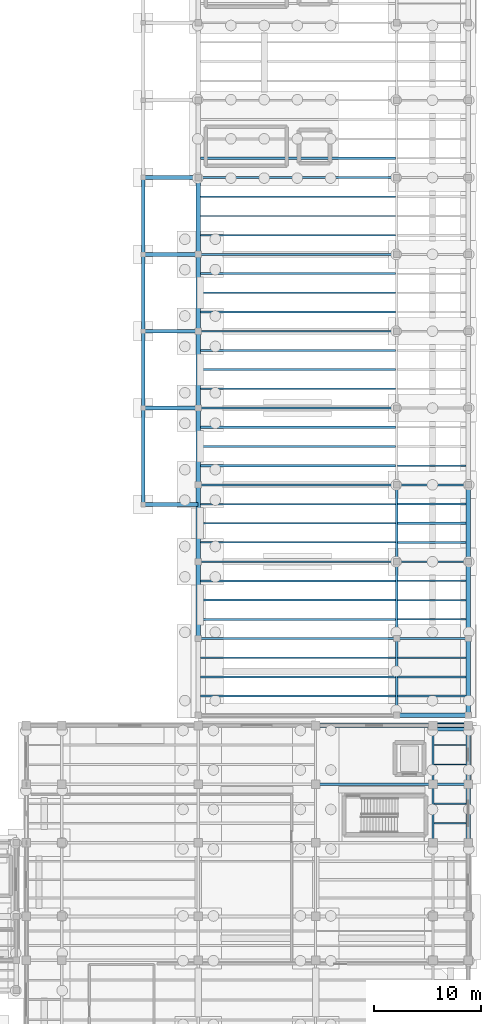
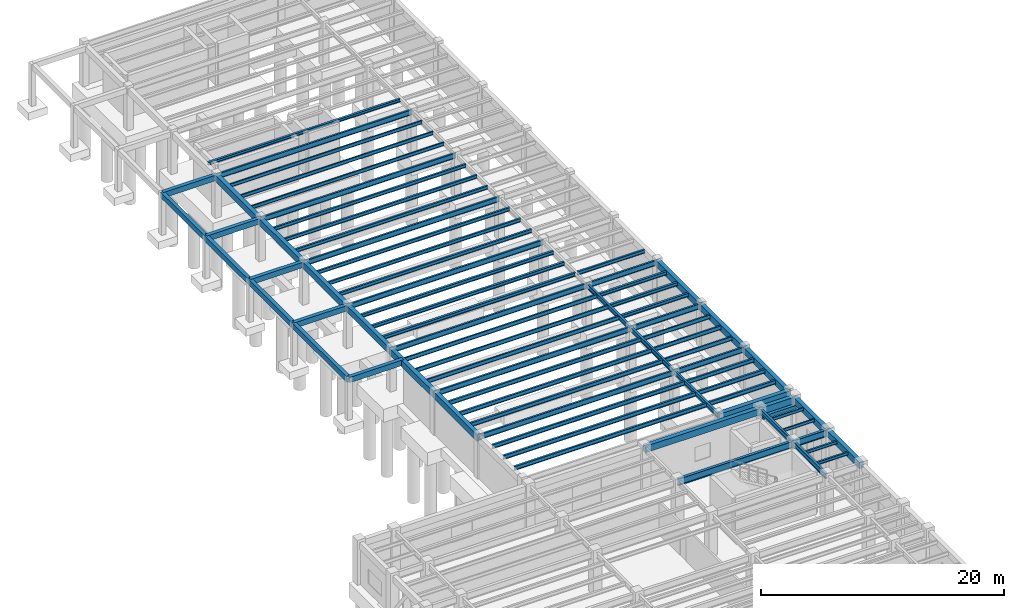
# One storey, part 16 of 41: 77 beams.
"""IFC4 building model written with IfcOpenShell, lengths in metres."""

from ifc_helpers import new_model, si_unit, direction, frame, origin, origin_2d, place, context, subcontext, project, spatial, rectangle, i_section, extrude, material, material_profile, profile_set, type_object, element, save


model = new_model("IFC4")

# Units and contexts
model_context = context("Model", 3, precision=1e-05, world=origin(), true_north=direction((0.0, 1.0)))
body_context = subcontext(model_context, "Body", "Model", "MODEL_VIEW")
ifc_project = project(units=[si_unit("LENGTHUNIT", "METRE"), si_unit("AREAUNIT", "SQUARE_METRE"), si_unit("VOLUMEUNIT", "CUBIC_METRE"), si_unit("PLANEANGLEUNIT", "RADIAN"), si_unit("MASSUNIT", "GRAM", prefix="KILO")], contexts=[model_context])

# Site, building, storey
site_placement = place(None, origin())
site = spatial("IfcSite", under=ifc_project, at=site_placement, CompositionType="ELEMENT")
building_placement = place(site_placement, origin())
building = spatial("IfcBuilding", under=site, at=building_placement, Name="Candilejo Ridge Gondola Terminal", CompositionType="ELEMENT")
storey_placement = place(building_placement, origin())
storey = spatial("IfcBuildingStorey", under=building, at=storey_placement, Name="L00", CompositionType="ELEMENT", Elevation=0.0)

# Beams
ifc_material_1 = material(Name="Concrete f'c 35 MPa (C35/45)", Category="concrete")
ifc_material_profile_1 = material_profile(ifc_material_1, rectangle(XDim=0.35009765625, YDim=0.550048828125, at=origin_2d()))
ifc_profile_set_1 = profile_set([ifc_material_profile_1], Name="Concrete f'c 35 MPa (C35/45)")
beam_type_1 = type_object("IfcBeamType", Name="STR-BM-RC350X550", PredefinedType="BEAM", material=ifc_profile_set_1)
for number, where, z_axis, x_axis, name in (
    (1, (144.85009765625, 68.39990234375, 3.965087890625), (1.0, 0.0, 0.0), (0.0, 1.0, 0.0), "Bench ledge transverse beam 01"),
    (2, (144.85009765625, 77.449951171875, 3.965087890625), (1.0, 0.0, 0.0), (0.0, 1.0, 0.0), "Bench ledge transverse beam 02"),
    (3, (144.85009765625, 84.64990234375, 3.965087890625), (1.0, 0.0, 0.0), (0.0, 1.0, 0.0), "Bench ledge transverse beam 03"),
    (4, (144.85009765625, 91.85009765625, 3.965087890625), (1.0, 0.0, 0.0), (0.0, 1.0, 0.0), "Bench ledge transverse beam 04"),
    (5, (144.85009765625, 99.050048828125, 3.965087890625), (1.0, 0.0, 0.0), (0.0, 1.0, 0.0), "Bench ledge transverse beam 05"),
):
    element("IfcBeam", number, at=place(storey_placement, frame(where, z_axis=z_axis, x_axis=x_axis)), inside=storey, type_object=beam_type_1, Name=name, PredefinedType="BEAM", context=body_context, shape_type="SweptSolid", body=[
        extrude(rectangle(XDim=0.35009765625, YDim=0.550048828125, at=origin_2d()), origin(), (0.0, 0.0, 1.0), 5.14990234375),
    ])
beam_1_placement = place(storey_placement, frame((144.85009765625, 68.39990234375, 3.965087890625), z_axis=(0.0, 1.0, 0.0), x_axis=(-1.0, 0.0, 0.0)))
element("IfcBeam", 6, at=beam_1_placement, inside=storey, type_object=beam_type_1, Name="Bench ledge perimeter beam 01", PredefinedType="BEAM", context=body_context, shape_type="SweptSolid", body=[
    extrude(rectangle(XDim=0.35009765625, YDim=0.550048828125, at=origin_2d()), origin(), (0.0, 0.0, 1.0), 9.050048828125),
])
beam_2_placement = place(storey_placement, frame((144.85009765625, 77.449951171875, 3.965087890625), z_axis=(0.0, 1.0, 0.0), x_axis=(-1.0, 0.0, 0.0)))
element("IfcBeam", 7, at=beam_2_placement, inside=storey, type_object=beam_type_1, Name="Bench ledge perimeter beam 02", PredefinedType="BEAM", context=body_context, shape_type="SweptSolid", body=[
    extrude(rectangle(XDim=0.35009765625, YDim=0.550048828125, at=origin_2d()), origin(), (0.0, 0.0, 1.0), 7.199951171875),
])
beam_3_placement = place(storey_placement, frame((144.85009765625, 84.64990234375, 3.965087890625), z_axis=(0.0, 1.0, 0.0), x_axis=(-1.0, 0.0, 0.0)))
element("IfcBeam", 8, at=beam_3_placement, inside=storey, type_object=beam_type_1, Name="Bench ledge perimeter beam 03", PredefinedType="BEAM", context=body_context, shape_type="SweptSolid", body=[
    extrude(rectangle(XDim=0.35009765625, YDim=0.550048828125, at=origin_2d()), origin(), (0.0, 0.0, 1.0), 7.2001953125),
])
beam_4_placement = place(storey_placement, frame((144.85009765625, 91.85009765625, 3.965087890625), z_axis=(0.0, 1.0, 0.0), x_axis=(-1.0, 0.0, 0.0)))
element("IfcBeam", 9, at=beam_4_placement, inside=storey, type_object=beam_type_1, Name="Bench ledge perimeter beam 04", PredefinedType="BEAM", context=body_context, shape_type="SweptSolid", body=[
    extrude(rectangle(XDim=0.35009765625, YDim=0.550048828125, at=origin_2d()), origin(), (0.0, 0.0, 1.0), 7.199951171875),
])
ifc_material_2 = material(Name="Steel ASTM A992 Grade 50", Category="steel")
ifc_material_profile_2 = material_profile(ifc_material_2, i_section(OverallWidth=0.194091796875, OverallDepth=0.468994140625, WebThickness=0.0126953125, FlangeThickness=0.0205078125, at=origin_2d()))
ifc_profile_set_2 = profile_set([ifc_material_profile_2], Name="Steel ASTM A992 Grade 50")
beam_type_2 = type_object("IfcBeamType", Name="STR-BM-W460X106", PredefinedType="BEAM", material=ifc_profile_set_2)
beam_5_placement = place(storey_placement, frame((168.60009765625, 48.64990234375, 3.99560546875), z_axis=(0.0, 1.0, 0.0), x_axis=(-1.0, 0.0, 0.0)))
element("IfcBeam", 10, at=beam_5_placement, inside=storey, type_object=beam_type_2, Name="Beam Y V5 L00 Y10-Y11@X25", PredefinedType="BEAM", context=body_context, shape_type="SweptSolid", body=[
    extrude(i_section(OverallWidth=0.194091796875, OverallDepth=0.468994140625, WebThickness=0.0126953125, FlangeThickness=0.0205078125, at=origin_2d()), origin(), (0.0, 0.0, 1.0), 7.2001953125),
])
for number, where, z_axis, x_axis, name in (
    (11, (168.60009765625, 55.85009765625, 3.99560546875), (0.0, 1.0, 0.0), (-1.0, 0.0, 0.0), "Beam Y V5 L00 Y11-Y12@X25"),
    (12, (168.60009765625, 63.050048828125, 3.99560546875), (0.0, 1.0, 0.0), (-1.0, 0.0, 0.0), "Beam Y V5 L00 Y12-Y13@X25"),
):
    element("IfcBeam", number, at=place(storey_placement, frame(where, z_axis=z_axis, x_axis=x_axis)), inside=storey, type_object=beam_type_2, Name=name, PredefinedType="BEAM", context=body_context, shape_type="SweptSolid", body=[
        extrude(i_section(OverallWidth=0.194091796875, OverallDepth=0.468994140625, WebThickness=0.0126953125, FlangeThickness=0.0205078125, at=origin_2d()), origin(), (0.0, 0.0, 1.0), 7.199951171875),
    ])
ifc_material_3 = material(Name="Steel ASTM A992 Grade 50", Category="steel")
ifc_material_profile_3 = material_profile(ifc_material_3, i_section(OverallWidth=0.2109375, OverallDepth=0.5390625, WebThickness=0.01171875, FlangeThickness=0.018798828125, at=origin_2d()))
ifc_profile_set_3 = profile_set([ifc_material_profile_3], Name="Steel ASTM A992 Grade 50")
beam_type_3 = type_object("IfcBeamType", Name="STR-BM-W530X109", PredefinedType="BEAM", material=ifc_profile_set_3)
for number, where, z_axis, x_axis, name in (
    (13, (172.0, 36.699951171875, 3.945556640625), (0.0, 1.0, 0.0), (-1.0, 0.0, 0.0), "Beam Y V4 L00 Y07-Y08@X26"),
    (14, (172.0, 42.199951171875, 3.945556640625), (0.0, 1.0, 0.0), (-1.0, 0.0, 0.0), "Beam Y V4 L00 Y08-Y09@X26"),
):
    element("IfcBeam", number, at=place(storey_placement, frame(where, z_axis=z_axis, x_axis=x_axis)), inside=storey, type_object=beam_type_3, Name=name, PredefinedType="BEAM", context=body_context, shape_type="SweptSolid", body=[
        extrude(i_section(OverallWidth=0.2109375, OverallDepth=0.5390625, WebThickness=0.01171875, FlangeThickness=0.018798828125, at=origin_2d()), origin(), (0.0, 0.0, 1.0), 5.5),
    ])
ifc_material_4 = material(Name="Steel ASTM A992 Grade 50", Category="steel")
ifc_material_profile_4 = material_profile(ifc_material_4, i_section(OverallWidth=0.166015625, OverallDepth=0.529052734375, WebThickness=0.009765625, FlangeThickness=0.013671875, at=origin_2d()))
ifc_profile_set_4 = profile_set([ifc_material_profile_4], Name="Steel ASTM A992 Grade 50")
beam_type_4 = type_object("IfcBeamType", Name="STR-BM-W530X74", PredefinedType="BEAM", material=ifc_profile_set_4)
beam_6_placement = place(storey_placement, frame((150.0, 55.85009765625, 3.965576171875), z_axis=(1.0, 0.0, 0.0), x_axis=(0.0, 1.0, 0.0)))
element("IfcBeam", 15, at=beam_6_placement, inside=storey, type_object=beam_type_4, Name="Beam X V5 L00 X23-X25@Y11", PredefinedType="BEAM", context=body_context, shape_type="SweptSolid", body=[
    extrude(i_section(OverallWidth=0.166015625, OverallDepth=0.529052734375, WebThickness=0.009765625, FlangeThickness=0.013671875, at=origin_2d()), origin(), (0.0, 0.0, 1.0), 18.60009765625),
])
beam_7_placement = place(storey_placement, frame((168.60009765625, 55.85009765625, 3.965576171875), z_axis=(1.0, 0.0, 0.0), x_axis=(0.0, 1.0, 0.0)))
element("IfcBeam", 16, at=beam_7_placement, inside=storey, type_object=beam_type_4, Name="Beam X V5 L00 X25-X27@Y11", PredefinedType="BEAM", context=body_context, shape_type="SweptSolid", body=[
    extrude(i_section(OverallWidth=0.166015625, OverallDepth=0.529052734375, WebThickness=0.009765625, FlangeThickness=0.013671875, at=origin_2d()), origin(), (0.0, 0.0, 1.0), 6.699951171875),
])
beam_8_placement = place(storey_placement, frame((150.0, 63.050048828125, 3.965576171875), z_axis=(1.0, 0.0, 0.0), x_axis=(0.0, 1.0, 0.0)))
element("IfcBeam", 17, at=beam_8_placement, inside=storey, type_object=beam_type_4, Name="Beam X V5 L00 X23-X25@Y12", PredefinedType="BEAM", context=body_context, shape_type="SweptSolid", body=[
    extrude(i_section(OverallWidth=0.166015625, OverallDepth=0.529052734375, WebThickness=0.009765625, FlangeThickness=0.013671875, at=origin_2d()), origin(), (0.0, 0.0, 1.0), 18.60009765625),
])
beam_9_placement = place(storey_placement, frame((168.60009765625, 63.050048828125, 3.965576171875), z_axis=(1.0, 0.0, 0.0), x_axis=(0.0, 1.0, 0.0)))
element("IfcBeam", 18, at=beam_9_placement, inside=storey, type_object=beam_type_4, Name="Beam X V5 L00 X25-X27@Y12", PredefinedType="BEAM", context=body_context, shape_type="SweptSolid", body=[
    extrude(i_section(OverallWidth=0.166015625, OverallDepth=0.529052734375, WebThickness=0.009765625, FlangeThickness=0.013671875, at=origin_2d()), origin(), (0.0, 0.0, 1.0), 6.699951171875),
])
beam_10_placement = place(storey_placement, frame((150.0, 70.25, 3.965576171875), z_axis=(1.0, 0.0, 0.0), x_axis=(0.0, 1.0, 0.0)))
element("IfcBeam", 19, at=beam_10_placement, inside=storey, type_object=beam_type_4, Name="Beam X V5 L00 X23-X25@Y13", PredefinedType="BEAM", context=body_context, shape_type="SweptSolid", body=[
    extrude(i_section(OverallWidth=0.166015625, OverallDepth=0.529052734375, WebThickness=0.009765625, FlangeThickness=0.013671875, at=origin_2d()), origin(), (0.0, 0.0, 1.0), 18.60009765625),
])
beam_11_placement = place(storey_placement, frame((168.60009765625, 70.25, 3.965576171875), z_axis=(1.0, 0.0, 0.0), x_axis=(0.0, 1.0, 0.0)))
element("IfcBeam", 20, at=beam_11_placement, inside=storey, type_object=beam_type_4, Name="Beam X V5 L00 X25-X27@Y13", PredefinedType="BEAM", context=body_context, shape_type="SweptSolid", body=[
    extrude(i_section(OverallWidth=0.166015625, OverallDepth=0.529052734375, WebThickness=0.009765625, FlangeThickness=0.013671875, at=origin_2d()), origin(), (0.0, 0.0, 1.0), 6.699951171875),
])
for number, where, z_axis, x_axis, name in (
    (21, (150.0, 77.449951171875, 3.965576171875), (1.0, 0.0, 0.0), (0.0, 1.0, 0.0), "Beam X V5 L00 X23-X25@Y14"),
    (22, (150.0, 84.64990234375, 3.965576171875), (1.0, 0.0, 0.0), (0.0, 1.0, 0.0), "Beam X V5 L00 X23-X25@Y15"),
    (23, (150.0, 91.85009765625, 3.965576171875), (1.0, 0.0, 0.0), (0.0, 1.0, 0.0), "Beam X V5 L00 X23-X25@Y16"),
    (24, (150.0, 99.050048828125, 3.965576171875), (1.0, 0.0, 0.0), (0.0, 1.0, 0.0), "Beam X V5 L00 X23-X25@Y17"),
):
    element("IfcBeam", number, at=place(storey_placement, frame(where, z_axis=z_axis, x_axis=x_axis)), inside=storey, type_object=beam_type_4, Name=name, PredefinedType="BEAM", context=body_context, shape_type="SweptSolid", body=[
        extrude(i_section(OverallWidth=0.166015625, OverallDepth=0.529052734375, WebThickness=0.009765625, FlangeThickness=0.013671875, at=origin_2d()), origin(), (0.0, 0.0, 1.0), 18.60009765625),
    ])
ifc_material_5 = material(Name="Steel ASTM A992 Grade 50", Category="steel")
ifc_material_profile_5 = material_profile(ifc_material_5, i_section(OverallWidth=0.25390625, OverallDepth=0.68408203125, WebThickness=0.012451171875, FlangeThickness=0.018798828125, at=origin_2d()))
ifc_profile_set_5 = profile_set([ifc_material_profile_5], Name="Steel ASTM A992 Grade 50")
beam_type_5 = type_object("IfcBeamType", Name="STR-BM-W690X140", PredefinedType="BEAM", material=ifc_profile_set_5)
beam_12_placement = place(storey_placement, frame((161.0, 42.199951171875, 3.873046875), z_axis=(1.0, 0.0, 0.0), x_axis=(0.0, 1.0, 0.0)))
element("IfcBeam", 25, at=beam_12_placement, inside=storey, type_object=beam_type_5, Name="Beam X V4 L00 X24-X26@Y08", PredefinedType="BEAM", context=body_context, shape_type="SweptSolid", body=[
    extrude(i_section(OverallWidth=0.25390625, OverallDepth=0.68408203125, WebThickness=0.012451171875, FlangeThickness=0.018798828125, at=origin_2d()), origin(), (0.0, 0.0, 1.0), 11.0),
])
beam_13_placement = place(storey_placement, frame((172.0, 42.199951171875, 3.873046875), z_axis=(1.0, 0.0, 0.0), x_axis=(0.0, 1.0, 0.0)))
element("IfcBeam", 26, at=beam_13_placement, inside=storey, type_object=beam_type_5, Name="Beam X V4 L00 X26-X27@Y08", PredefinedType="BEAM", context=body_context, shape_type="SweptSolid", body=[
    extrude(i_section(OverallWidth=0.25390625, OverallDepth=0.68408203125, WebThickness=0.012451171875, FlangeThickness=0.018798828125, at=origin_2d()), origin(), (0.0, 0.0, 1.0), 3.300048828125),
])
ifc_material_6 = material(Name="Concrete f'c 35 MPa (C35/45)", Category="concrete")
ifc_material_profile_6 = material_profile(ifc_material_6, rectangle(XDim=0.800048828125, YDim=0.35009765625, at=origin_2d()))
ifc_profile_set_6 = profile_set([ifc_material_profile_6], Name="Concrete f'c 35 MPa (C35/45)")
beam_type_6 = type_object("IfcBeamType", Name="STR-CRB-RC800X350", PredefinedType="SPANDREL", material=ifc_profile_set_6)
beam_14_placement = place(storey_placement, frame((172.0, 47.60009765625, 3.389892578125), z_axis=(1.0, 0.0, 0.0), x_axis=(0.0, 1.0, 0.0)))
element("IfcBeam", 27, at=beam_14_placement, inside=storey, type_object=beam_type_6, Name="Seismic bridge 800 mm RC corbel seat LB-SJ4-L01", PredefinedType="SPANDREL", context=body_context, shape_type="SweptSolid", body=[
    extrude(rectangle(XDim=0.800048828125, YDim=0.35009765625, at=origin_2d()), origin(), (0.0, 0.0, 1.0), 3.300048828125),
])
ifc_material_7 = material(Name="Steel ASTM A992 Grade 50", Category="steel")
ifc_material_profile_7 = material_profile(ifc_material_7, i_section(OverallWidth=0.10205078125, OverallDepth=0.31298828125, WebThickness=0.006591796875, FlangeThickness=0.0107421875, at=origin_2d()))
ifc_profile_set_7 = profile_set([ifc_material_profile_7], Name="Steel ASTM A992 Grade 50")
beam_type_7 = type_object("IfcBeamType", Name="STR-JST-W310X33", PredefinedType="JOIST", material=ifc_profile_set_7)
for number, where, z_axis, x_axis, name in (
    (28, (172.10546875, 44.033203125, 4.05859375), (1.0, 0.0, 0.0), (0.0, 1.0, 0.0), "Composite joist V4 L00-0816"),
    (29, (172.10546875, 45.86669921875, 4.05859375), (1.0, 0.0, 0.0), (0.0, 1.0, 0.0), "Composite joist V4 L00-0817"),
):
    element("IfcBeam", number, at=place(storey_placement, frame(where, z_axis=z_axis, x_axis=x_axis)), inside=storey, type_object=beam_type_7, Name=name, PredefinedType="JOIST", context=body_context, shape_type="SweptSolid", body=[
        extrude(i_section(OverallWidth=0.10205078125, OverallDepth=0.31298828125, WebThickness=0.006591796875, FlangeThickness=0.0107421875, at=origin_2d()), origin(), (0.0, 0.0, 1.0), 2.99462890625),
    ])
ifc_material_8 = material(Name="Steel ASTM A992 Grade 50", Category="steel")
ifc_material_profile_8 = material_profile(ifc_material_8, i_section(OverallWidth=0.1650390625, OverallDepth=0.31005859375, WebThickness=0.005859375, FlangeThickness=0.009765625, at=origin_2d()))
ifc_profile_set_8 = profile_set([ifc_material_profile_8], Name="Steel ASTM A992 Grade 50")
beam_type_8 = type_object("IfcBeamType", Name="STR-JST-W310X39", PredefinedType="JOIST", material=ifc_profile_set_8)
for number, where, z_axis, x_axis, name in (
    (30, (172.10546875, 38.533203125, 4.06005859375), (1.0, 0.0, 0.0), (0.0, 1.0, 0.0), "Composite joist V4 L00-0814"),
    (31, (172.10546875, 40.36669921875, 4.06005859375), (1.0, 0.0, 0.0), (0.0, 1.0, 0.0), "Composite joist V4 L00-0815"),
):
    element("IfcBeam", number, at=place(storey_placement, frame(where, z_axis=z_axis, x_axis=x_axis)), inside=storey, type_object=beam_type_8, Name=name, PredefinedType="JOIST", context=body_context, shape_type="SweptSolid", body=[
        extrude(i_section(OverallWidth=0.1650390625, OverallDepth=0.31005859375, WebThickness=0.005859375, FlangeThickness=0.009765625, at=origin_2d()), origin(), (0.0, 0.0, 1.0), 2.99462890625),
    ])
ifc_material_9 = material(Name="Steel ASTM A992 Grade 50", Category="steel")
ifc_material_profile_9 = material_profile(ifc_material_9, i_section(OverallWidth=0.202880859375, OverallDepth=0.302978515625, WebThickness=0.007568359375, FlangeThickness=0.01318359375, at=origin_2d()))
ifc_profile_set_9 = profile_set([ifc_material_profile_9], Name="Steel ASTM A992 Grade 50")
beam_type_9 = type_object("IfcBeamType", Name="STR-JST-W310X60", PredefinedType="JOIST", material=ifc_profile_set_9)
beam_15_placement = place(storey_placement, frame((150.199951171875, 100.862548828125, 4.07861328125), z_axis=(1.0, 0.0, 0.0), x_axis=(0.0, 1.0, 0.0)))
element("IfcBeam", 32, at=beam_15_placement, inside=storey, type_object=beam_type_9, Name="Composite joist V5 L00-1110", PredefinedType="JOIST", context=body_context, shape_type="SweptSolid", body=[
    extrude(i_section(OverallWidth=0.202880859375, OverallDepth=0.302978515625, WebThickness=0.007568359375, FlangeThickness=0.01318359375, at=origin_2d()), origin(), (0.0, 0.0, 1.0), 18.302978515625),
])
ifc_material_10 = material(Name="Steel ASTM A992 Grade 50", Category="steel")
ifc_material_profile_10 = material_profile(ifc_material_10, i_section(OverallWidth=0.1279296875, OverallDepth=0.35302734375, WebThickness=0.006591796875, FlangeThickness=0.0107421875, at=origin_2d()))
ifc_profile_set_10 = profile_set([ifc_material_profile_10], Name="Steel ASTM A992 Grade 50")
beam_type_10 = type_object("IfcBeamType", Name="STR-JST-W360X39", PredefinedType="JOIST", material=ifc_profile_set_10)
for number, where, z_axis, x_axis, name in (
    (33, (150.199951171875, 93.64990234375, 4.053466796875), (1.0, 0.0, 0.0), (0.0, 1.0, 0.0), "Composite joist V5 L00-1107"),
    (34, (150.199951171875, 95.449951171875, 4.053466796875), (1.0, 0.0, 0.0), (0.0, 1.0, 0.0), "Composite joist V5 L00-1108"),
    (35, (150.199951171875, 97.25, 4.053466796875), (1.0, 0.0, 0.0), (0.0, 1.0, 0.0), "Composite joist V5 L00-1109"),
):
    element("IfcBeam", number, at=place(storey_placement, frame(where, z_axis=z_axis, x_axis=x_axis)), inside=storey, type_object=beam_type_10, Name=name, PredefinedType="JOIST", context=body_context, shape_type="SweptSolid", body=[
        extrude(i_section(OverallWidth=0.1279296875, OverallDepth=0.35302734375, WebThickness=0.006591796875, FlangeThickness=0.0107421875, at=origin_2d()), origin(), (0.0, 0.0, 1.0), 18.302978515625),
    ])
ifc_material_11 = material(Name="Steel ASTM A992 Grade 50", Category="steel")
ifc_material_profile_11 = material_profile(ifc_material_11, i_section(OverallWidth=0.1708984375, OverallDepth=0.35205078125, WebThickness=0.0068359375, FlangeThickness=0.009765625, at=origin_2d()))
ifc_profile_set_11 = profile_set([ifc_material_profile_11], Name="Steel ASTM A992 Grade 50")
beam_type_11 = type_object("IfcBeamType", Name="STR-JST-W360X44", PredefinedType="JOIST", material=ifc_profile_set_11)
for number, where, z_axis, x_axis, name in (
    (36, (150.199951171875, 86.449951171875, 4.053955078125), (1.0, 0.0, 0.0), (0.0, 1.0, 0.0), "Composite joist V5 L00-1104"),
    (37, (150.199951171875, 88.25, 4.053955078125), (1.0, 0.0, 0.0), (0.0, 1.0, 0.0), "Composite joist V5 L00-1105"),
    (38, (150.199951171875, 90.050048828125, 4.053955078125), (1.0, 0.0, 0.0), (0.0, 1.0, 0.0), "Composite joist V5 L00-1106"),
):
    element("IfcBeam", number, at=place(storey_placement, frame(where, z_axis=z_axis, x_axis=x_axis)), inside=storey, type_object=beam_type_11, Name=name, PredefinedType="JOIST", context=body_context, shape_type="SweptSolid", body=[
        extrude(i_section(OverallWidth=0.1708984375, OverallDepth=0.35205078125, WebThickness=0.0068359375, FlangeThickness=0.009765625, at=origin_2d()), origin(), (0.0, 0.0, 1.0), 18.302978515625),
    ])
ifc_material_12 = material(Name="Steel ASTM A992 Grade 50", Category="steel")
ifc_material_profile_12 = material_profile(ifc_material_12, i_section(OverallWidth=0.1708984375, OverallDepth=0.35498046875, WebThickness=0.007080078125, FlangeThickness=0.01171875, at=origin_2d()))
ifc_profile_set_12 = profile_set([ifc_material_profile_12], Name="Steel ASTM A992 Grade 50")
beam_type_12 = type_object("IfcBeamType", Name="STR-JST-W360X51", PredefinedType="JOIST", material=ifc_profile_set_12)
for number, where, z_axis, x_axis, name in (
    (39, (150.199951171875, 79.25, 4.052490234375), (1.0, 0.0, 0.0), (0.0, 1.0, 0.0), "Composite joist V5 L00-1101"),
    (40, (150.199951171875, 81.050048828125, 4.052490234375), (1.0, 0.0, 0.0), (0.0, 1.0, 0.0), "Composite joist V5 L00-1102"),
    (41, (150.199951171875, 82.85009765625, 4.052490234375), (1.0, 0.0, 0.0), (0.0, 1.0, 0.0), "Composite joist V5 L00-1103"),
):
    element("IfcBeam", number, at=place(storey_placement, frame(where, z_axis=z_axis, x_axis=x_axis)), inside=storey, type_object=beam_type_12, Name=name, PredefinedType="JOIST", context=body_context, shape_type="SweptSolid", body=[
        extrude(i_section(OverallWidth=0.1708984375, OverallDepth=0.35498046875, WebThickness=0.007080078125, FlangeThickness=0.01171875, at=origin_2d()), origin(), (0.0, 0.0, 1.0), 18.302978515625),
    ])
beam_16_placement = place(storey_placement, frame((168.697021484375, 72.050048828125, 4.052490234375), z_axis=(1.0, 0.0, 0.0), x_axis=(0.0, 1.0, 0.0)))
element("IfcBeam", 42, at=beam_16_placement, inside=storey, type_object=beam_type_12, Name="Composite joist V5 L00-1128", PredefinedType="JOIST", context=body_context, shape_type="SweptSolid", body=[
    extrude(i_section(OverallWidth=0.1708984375, OverallDepth=0.35498046875, WebThickness=0.007080078125, FlangeThickness=0.01171875, at=origin_2d()), origin(), (0.0, 0.0, 1.0), 6.403076171875),
])
ifc_material_13 = material(Name="Steel ASTM A992 Grade 50", Category="steel")
ifc_material_profile_13 = material_profile(ifc_material_13, i_section(OverallWidth=0.205078125, OverallDepth=0.35400390625, WebThickness=0.009521484375, FlangeThickness=0.016845703125, at=origin_2d()))
ifc_profile_set_13 = profile_set([ifc_material_profile_13], Name="Steel ASTM A992 Grade 50")
beam_type_13 = type_object("IfcBeamType", Name="STR-JST-W360X79", PredefinedType="JOIST", material=ifc_profile_set_13)
for number, where, z_axis, x_axis, name in (
    (43, (150.199951171875, 72.050048828125, 4.052978515625), (1.0, 0.0, 0.0), (0.0, 1.0, 0.0), "Composite joist V5 L00-1098"),
    (44, (150.199951171875, 73.85009765625, 4.052978515625), (1.0, 0.0, 0.0), (0.0, 1.0, 0.0), "Composite joist V5 L00-1099"),
    (45, (150.199951171875, 75.64990234375, 4.052978515625), (1.0, 0.0, 0.0), (0.0, 1.0, 0.0), "Composite joist V5 L00-1100"),
):
    element("IfcBeam", number, at=place(storey_placement, frame(where, z_axis=z_axis, x_axis=x_axis)), inside=storey, type_object=beam_type_13, Name=name, PredefinedType="JOIST", context=body_context, shape_type="SweptSolid", body=[
        extrude(i_section(OverallWidth=0.205078125, OverallDepth=0.35400390625, WebThickness=0.009521484375, FlangeThickness=0.016845703125, at=origin_2d()), origin(), (0.0, 0.0, 1.0), 18.302978515625),
    ])
for number, where, z_axis, x_axis, name in (
    (46, (168.697021484375, 64.85009765625, 4.052978515625), (1.0, 0.0, 0.0), (0.0, 1.0, 0.0), "Composite joist V5 L00-1125"),
    (47, (168.697021484375, 66.64990234375, 4.052978515625), (1.0, 0.0, 0.0), (0.0, 1.0, 0.0), "Composite joist V5 L00-1126"),
    (48, (168.697021484375, 68.449951171875, 4.052978515625), (1.0, 0.0, 0.0), (0.0, 1.0, 0.0), "Composite joist V5 L00-1127"),
):
    element("IfcBeam", number, at=place(storey_placement, frame(where, z_axis=z_axis, x_axis=x_axis)), inside=storey, type_object=beam_type_13, Name=name, PredefinedType="JOIST", context=body_context, shape_type="SweptSolid", body=[
        extrude(i_section(OverallWidth=0.205078125, OverallDepth=0.35400390625, WebThickness=0.009521484375, FlangeThickness=0.016845703125, at=origin_2d()), origin(), (0.0, 0.0, 1.0), 6.403076171875),
    ])
ifc_material_14 = material(Name="Steel ASTM A992 Grade 50", Category="steel")
ifc_material_profile_14 = material_profile(ifc_material_14, i_section(OverallWidth=0.139892578125, OverallDepth=0.403076171875, WebThickness=0.007080078125, FlangeThickness=0.01123046875, at=origin_2d()))
ifc_profile_set_14 = profile_set([ifc_material_profile_14], Name="Steel ASTM A992 Grade 50")
beam_type_14 = type_object("IfcBeamType", Name="STR-JST-W410X46", PredefinedType="JOIST", material=ifc_profile_set_14)
for number, where, z_axis, x_axis, name in (
    (49, (150.199951171875, 64.85009765625, 4.028564453125), (1.0, 0.0, 0.0), (0.0, 1.0, 0.0), "Composite joist V5 L00-1095"),
    (50, (150.199951171875, 66.64990234375, 4.028564453125), (1.0, 0.0, 0.0), (0.0, 1.0, 0.0), "Composite joist V5 L00-1096"),
    (51, (150.199951171875, 68.449951171875, 4.028564453125), (1.0, 0.0, 0.0), (0.0, 1.0, 0.0), "Composite joist V5 L00-1097"),
):
    element("IfcBeam", number, at=place(storey_placement, frame(where, z_axis=z_axis, x_axis=x_axis)), inside=storey, type_object=beam_type_14, Name=name, PredefinedType="JOIST", context=body_context, shape_type="SweptSolid", body=[
        extrude(i_section(OverallWidth=0.139892578125, OverallDepth=0.403076171875, WebThickness=0.007080078125, FlangeThickness=0.01123046875, at=origin_2d()), origin(), (0.0, 0.0, 1.0), 18.302978515625),
    ])
for number, where, z_axis, x_axis, name in (
    (52, (168.697021484375, 57.64990234375, 4.028564453125), (1.0, 0.0, 0.0), (0.0, 1.0, 0.0), "Composite joist V5 L00-1122"),
    (53, (168.697021484375, 59.449951171875, 4.028564453125), (1.0, 0.0, 0.0), (0.0, 1.0, 0.0), "Composite joist V5 L00-1123"),
    (54, (168.697021484375, 61.25, 4.028564453125), (1.0, 0.0, 0.0), (0.0, 1.0, 0.0), "Composite joist V5 L00-1124"),
):
    element("IfcBeam", number, at=place(storey_placement, frame(where, z_axis=z_axis, x_axis=x_axis)), inside=storey, type_object=beam_type_14, Name=name, PredefinedType="JOIST", context=body_context, shape_type="SweptSolid", body=[
        extrude(i_section(OverallWidth=0.139892578125, OverallDepth=0.403076171875, WebThickness=0.007080078125, FlangeThickness=0.01123046875, at=origin_2d()), origin(), (0.0, 0.0, 1.0), 6.403076171875),
    ])
ifc_material_15 = material(Name="Steel ASTM A992 Grade 50", Category="steel")
ifc_material_profile_15 = material_profile(ifc_material_15, i_section(OverallWidth=0.177978515625, OverallDepth=0.406982421875, WebThickness=0.0078125, FlangeThickness=0.0126953125, at=origin_2d()))
ifc_profile_set_15 = profile_set([ifc_material_profile_15], Name="Steel ASTM A992 Grade 50")
beam_type_15 = type_object("IfcBeamType", Name="STR-JST-W410X60", PredefinedType="JOIST", material=ifc_profile_set_15)
for number, where, z_axis, x_axis, name in (
    (55, (150.199951171875, 57.64990234375, 4.026611328125), (1.0, 0.0, 0.0), (0.0, 1.0, 0.0), "Composite joist V5 L00-1092"),
    (56, (150.199951171875, 59.449951171875, 4.026611328125), (1.0, 0.0, 0.0), (0.0, 1.0, 0.0), "Composite joist V5 L00-1093"),
    (57, (150.199951171875, 61.25, 4.026611328125), (1.0, 0.0, 0.0), (0.0, 1.0, 0.0), "Composite joist V5 L00-1094"),
):
    element("IfcBeam", number, at=place(storey_placement, frame(where, z_axis=z_axis, x_axis=x_axis)), inside=storey, type_object=beam_type_15, Name=name, PredefinedType="JOIST", context=body_context, shape_type="SweptSolid", body=[
        extrude(i_section(OverallWidth=0.177978515625, OverallDepth=0.406982421875, WebThickness=0.0078125, FlangeThickness=0.0126953125, at=origin_2d()), origin(), (0.0, 0.0, 1.0), 18.302978515625),
    ])
for number, where, z_axis, x_axis, name in (
    (58, (168.697021484375, 50.449951171875, 4.026611328125), (1.0, 0.0, 0.0), (0.0, 1.0, 0.0), "Composite joist V5 L00-1119"),
    (59, (168.697021484375, 52.25, 4.026611328125), (1.0, 0.0, 0.0), (0.0, 1.0, 0.0), "Composite joist V5 L00-1120"),
    (60, (168.697021484375, 54.050048828125, 4.026611328125), (1.0, 0.0, 0.0), (0.0, 1.0, 0.0), "Composite joist V5 L00-1121"),
):
    element("IfcBeam", number, at=place(storey_placement, frame(where, z_axis=z_axis, x_axis=x_axis)), inside=storey, type_object=beam_type_15, Name=name, PredefinedType="JOIST", context=body_context, shape_type="SweptSolid", body=[
        extrude(i_section(OverallWidth=0.177978515625, OverallDepth=0.406982421875, WebThickness=0.0078125, FlangeThickness=0.0126953125, at=origin_2d()), origin(), (0.0, 0.0, 1.0), 6.403076171875),
    ])
ifc_material_16 = material(Name="Steel ASTM A992 Grade 50", Category="steel")
ifc_material_profile_16 = material_profile(ifc_material_16, i_section(OverallWidth=0.180908203125, OverallDepth=0.4169921875, WebThickness=0.010986328125, FlangeThickness=0.018310546875, at=origin_2d()))
ifc_profile_set_16 = profile_set([ifc_material_profile_16], Name="Steel ASTM A992 Grade 50")
beam_type_16 = type_object("IfcBeamType", Name="STR-JST-W410X85", PredefinedType="JOIST", material=ifc_profile_set_16)
for number, where, z_axis, x_axis, name in (
    (61, (150.199951171875, 50.449951171875, 4.021484375), (1.0, 0.0, 0.0), (0.0, 1.0, 0.0), "Composite joist V5 L00-1089"),
    (62, (150.199951171875, 52.25, 4.021484375), (1.0, 0.0, 0.0), (0.0, 1.0, 0.0), "Composite joist V5 L00-1090"),
    (63, (150.199951171875, 54.050048828125, 4.021484375), (1.0, 0.0, 0.0), (0.0, 1.0, 0.0), "Composite joist V5 L00-1091"),
):
    element("IfcBeam", number, at=place(storey_placement, frame(where, z_axis=z_axis, x_axis=x_axis)), inside=storey, type_object=beam_type_16, Name=name, PredefinedType="JOIST", context=body_context, shape_type="SweptSolid", body=[
        extrude(i_section(OverallWidth=0.180908203125, OverallDepth=0.4169921875, WebThickness=0.010986328125, FlangeThickness=0.018310546875, at=origin_2d()), origin(), (0.0, 0.0, 1.0), 18.302978515625),
    ])
ifc_material_17 = material(Name="Concrete f'c 35 MPa (C35/45)", Category="concrete")
ifc_material_profile_17 = material_profile(ifc_material_17, rectangle(XDim=0.39990234375, YDim=0.64990234375, at=origin_2d()))
ifc_profile_set_17 = profile_set([ifc_material_profile_17], Name="Concrete f'c 35 MPa (C35/45)")
beam_type_17 = type_object("IfcBeamType", Name="STR-SPN-RC400X650", PredefinedType="SPANDREL", material=ifc_profile_set_17)
beam_17_placement = place(storey_placement, frame((161.0, 47.699951171875, 3.889892578125), z_axis=(1.0, 0.0, 0.0), x_axis=(0.0, 1.0, 0.0)))
element("IfcBeam", 64, at=beam_17_placement, inside=storey, type_object=beam_type_17, Name="Beam X V4 L00 X24-X26@Y09", PredefinedType="SPANDREL", context=body_context, shape_type="SweptSolid", body=[
    extrude(rectangle(XDim=0.39990234375, YDim=0.64990234375, at=origin_2d()), origin(), (0.0, 0.0, 1.0), 11.0),
])
beam_18_placement = place(storey_placement, frame((172.0, 47.699951171875, 3.889892578125), z_axis=(1.0, 0.0, 0.0), x_axis=(0.0, 1.0, 0.0)))
element("IfcBeam", 65, at=beam_18_placement, inside=storey, type_object=beam_type_17, Name="Beam X V4 L00 X26-X27@Y09", PredefinedType="SPANDREL", context=body_context, shape_type="SweptSolid", body=[
    extrude(rectangle(XDim=0.39990234375, YDim=0.64990234375, at=origin_2d()), origin(), (0.0, 0.0, 1.0), 3.300048828125),
])
for number, where, z_axis, x_axis, name in (
    (66, (175.300048828125, 36.699951171875, 3.889892578125), (0.0, 1.0, 0.0), (-1.0, 0.0, 0.0), "Beam Y V4 L00 Y07-Y08@X27"),
    (67, (175.300048828125, 42.199951171875, 3.889892578125), (0.0, 1.0, 0.0), (-1.0, 0.0, 0.0), "Beam Y V4 L00 Y08-Y09@X27"),
):
    element("IfcBeam", number, at=place(storey_placement, frame(where, z_axis=z_axis, x_axis=x_axis)), inside=storey, type_object=beam_type_17, Name=name, PredefinedType="SPANDREL", context=body_context, shape_type="SweptSolid", body=[
        extrude(rectangle(XDim=0.39990234375, YDim=0.64990234375, at=origin_2d()), origin(), (0.0, 0.0, 1.0), 5.5),
    ])
beam_19_placement = place(storey_placement, frame((168.60009765625, 48.64990234375, 3.905029296875), z_axis=(1.0, 0.0, 0.0), x_axis=(0.0, 1.0, 0.0)))
element("IfcBeam", 68, at=beam_19_placement, inside=storey, type_object=beam_type_17, Name="Beam X V5 L00 X25-X27@Y10", PredefinedType="SPANDREL", context=body_context, shape_type="SweptSolid", body=[
    extrude(rectangle(XDim=0.39990234375, YDim=0.64990234375, at=origin_2d()), origin(), (0.0, 0.0, 1.0), 6.699951171875),
])
for number, where, z_axis, x_axis, name in (
    (69, (150.0, 55.85009765625, 3.905029296875), (0.0, 1.0, 0.0), (-1.0, 0.0, 0.0), "Beam Y V5 L00 Y11-Y12@X23"),
    (70, (150.0, 63.050048828125, 3.905029296875), (0.0, 1.0, 0.0), (-1.0, 0.0, 0.0), "Beam Y V5 L00 Y12-Y13@X23"),
    (71, (150.0, 70.25, 3.905029296875), (0.0, 1.0, 0.0), (-1.0, 0.0, 0.0), "Beam Y V5 L00 Y13-Y14@X23"),
    (72, (150.0, 77.449951171875, 3.905029296875), (0.0, 1.0, 0.0), (-1.0, 0.0, 0.0), "Beam Y V5 L00 Y14-Y15@X23"),
):
    element("IfcBeam", number, at=place(storey_placement, frame(where, z_axis=z_axis, x_axis=x_axis)), inside=storey, type_object=beam_type_17, Name=name, PredefinedType="SPANDREL", context=body_context, shape_type="SweptSolid", body=[
        extrude(rectangle(XDim=0.39990234375, YDim=0.64990234375, at=origin_2d()), origin(), (0.0, 0.0, 1.0), 7.199951171875),
    ])
beam_20_placement = place(storey_placement, frame((150.0, 84.64990234375, 3.905029296875), z_axis=(0.0, 1.0, 0.0), x_axis=(-1.0, 0.0, 0.0)))
element("IfcBeam", 73, at=beam_20_placement, inside=storey, type_object=beam_type_17, Name="Beam Y V5 L00 Y15-Y16@X23", PredefinedType="SPANDREL", context=body_context, shape_type="SweptSolid", body=[
    extrude(rectangle(XDim=0.39990234375, YDim=0.64990234375, at=origin_2d()), origin(), (0.0, 0.0, 1.0), 7.2001953125),
])
beam_21_placement = place(storey_placement, frame((150.0, 91.85009765625, 3.905029296875), z_axis=(0.0, 1.0, 0.0), x_axis=(-1.0, 0.0, 0.0)))
element("IfcBeam", 74, at=beam_21_placement, inside=storey, type_object=beam_type_17, Name="Beam Y V5 L00 Y16-Y17@X23", PredefinedType="SPANDREL", context=body_context, shape_type="SweptSolid", body=[
    extrude(rectangle(XDim=0.39990234375, YDim=0.64990234375, at=origin_2d()), origin(), (0.0, 0.0, 1.0), 7.199951171875),
])
beam_22_placement = place(storey_placement, frame((175.300048828125, 48.64990234375, 3.905029296875), z_axis=(0.0, 1.0, 0.0), x_axis=(-1.0, 0.0, 0.0)))
element("IfcBeam", 75, at=beam_22_placement, inside=storey, type_object=beam_type_17, Name="Beam Y V5 L00 Y10-Y11@X27", PredefinedType="SPANDREL", context=body_context, shape_type="SweptSolid", body=[
    extrude(rectangle(XDim=0.39990234375, YDim=0.64990234375, at=origin_2d()), origin(), (0.0, 0.0, 1.0), 7.2001953125),
])
for number, where, z_axis, x_axis, name in (
    (76, (175.300048828125, 55.85009765625, 3.905029296875), (0.0, 1.0, 0.0), (-1.0, 0.0, 0.0), "Beam Y V5 L00 Y11-Y12@X27"),
    (77, (175.300048828125, 63.050048828125, 3.905029296875), (0.0, 1.0, 0.0), (-1.0, 0.0, 0.0), "Beam Y V5 L00 Y12-Y13@X27"),
):
    element("IfcBeam", number, at=place(storey_placement, frame(where, z_axis=z_axis, x_axis=x_axis)), inside=storey, type_object=beam_type_17, Name=name, PredefinedType="SPANDREL", context=body_context, shape_type="SweptSolid", body=[
        extrude(rectangle(XDim=0.39990234375, YDim=0.64990234375, at=origin_2d()), origin(), (0.0, 0.0, 1.0), 7.199951171875),
    ])

save(model, "model.ifc")
